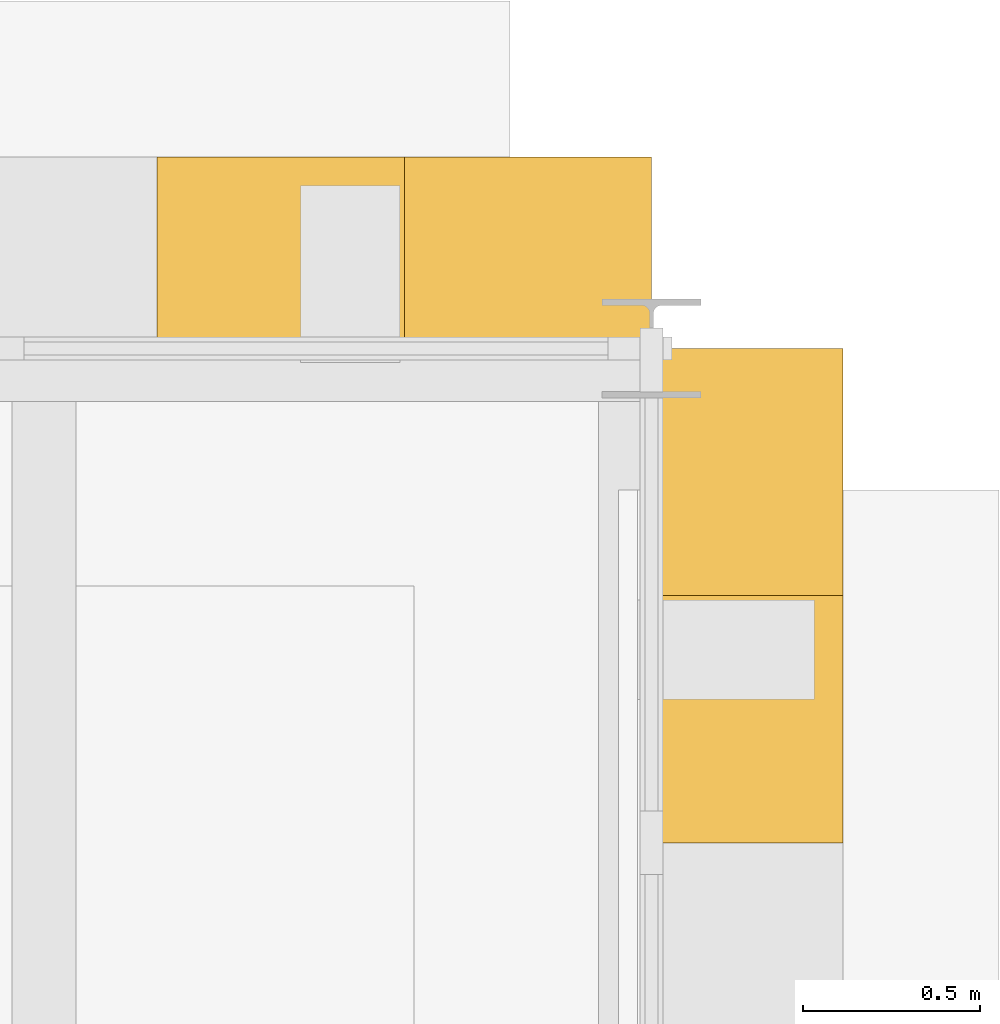
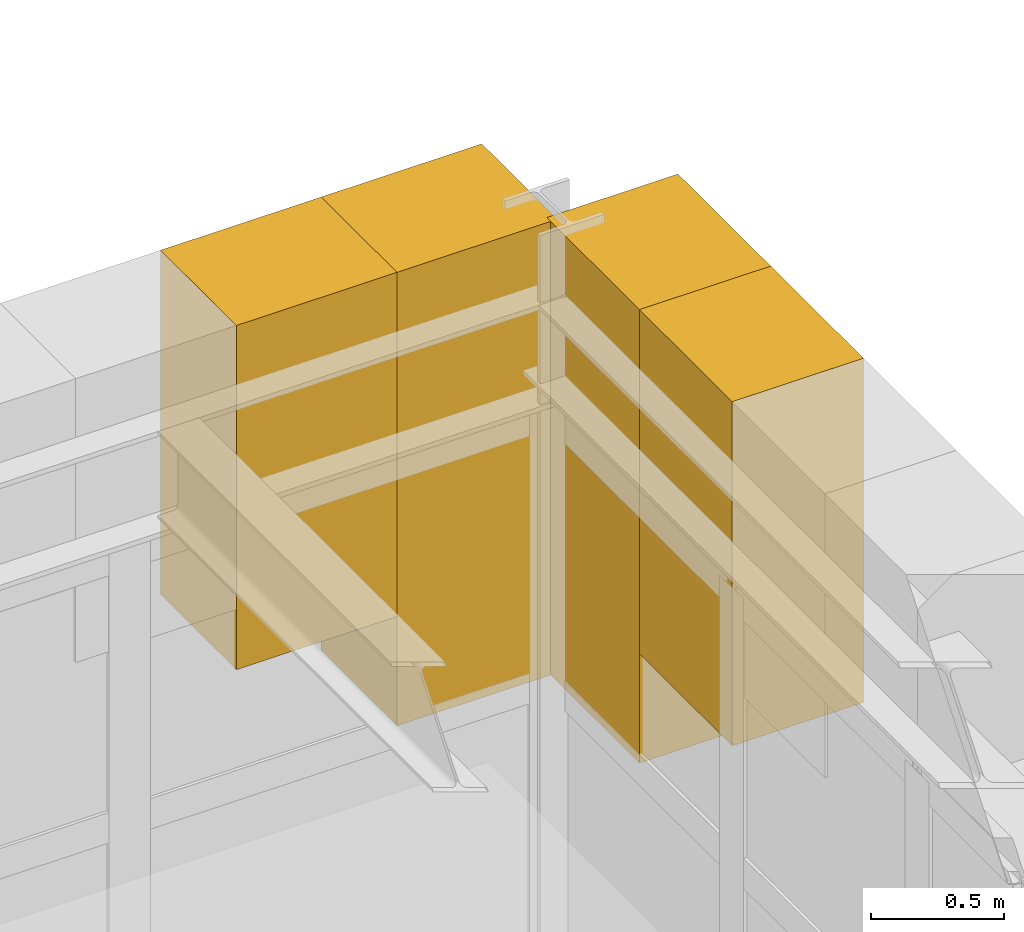
# One storey, part 78 of 83: 4 coverings.
"""IFC4 building model written with IfcOpenShell, lengths in metres."""

from ifc_helpers import new_model, si_unit, direction, frame, origin, place, context, subcontext, project, spatial, polyline, outline, extrude, material, layer, layer_set, type_object, element, save


model = new_model("IFC4")

# Units and contexts
model_context = context("Model", 3, precision=1e-05, world=origin(), true_north=direction((0.0, 1.0)))
body_context = subcontext(model_context, "Body", "Model", "MODEL_VIEW")
ifc_project = project(units=[si_unit("LENGTHUNIT", "METRE"), si_unit("AREAUNIT", "SQUARE_METRE"), si_unit("VOLUMEUNIT", "CUBIC_METRE"), si_unit("PLANEANGLEUNIT", "RADIAN"), si_unit("MASSUNIT", "GRAM", prefix="KILO")], contexts=[model_context])

# Site, building, storey
site_placement = place(None, origin())
site = spatial("IfcSite", under=ifc_project, at=site_placement, CompositionType="ELEMENT")
building_placement = place(site_placement, origin())
building = spatial("IfcBuilding", under=site, at=building_placement, Name="Zlatogorsky Bluff Art Gallery", CompositionType="ELEMENT")
storey_placement = place(building_placement, frame((0.0, 0.0, 10.800048828125)))
storey = spatial("IfcBuildingStorey", under=building, at=storey_placement, Name="L02", CompositionType="ELEMENT", Elevation=10.800048828125)

# Coverings
ifc_material = material(Name="Honed Red Agra-Tone Quartzitic Sandstone", Category="masonry")
ifc_layer = layer(ifc_material, 0.1201171875)
ifc_layer_set = layer_set([ifc_layer], Name="Carved Sandstone Cladding CLD-02")
covering_type = type_object("IfcCoveringType", Name="Carved Sandstone Cladding CLD-02", PredefinedType="CLADDING", material=ifc_layer_set)
covering_1_placement = place(storey_placement, frame((0.0, 0.0, 4.379638671875)))
element("IfcCovering", 1, at=covering_1_placement, inside=storey, type_object=covering_type, Name="Pointed Mughal arch voussoir spandrel ARCH-CW-L02-N-12-09-A.7", PredefinedType="CLADDING", context=body_context, shape_type="SweptSolid", body=[
    extrude(outline(polyline([(154.60498046875, 107.969970703125), (155.302490234375, 107.969970703125), (155.302490234375, 108.5400390625), (154.60498046875, 108.5400390625), (154.60498046875, 107.969970703125)])), origin(), (0.0, 0.0, 1.0), 1.580322265625),
])
covering_2_placement = place(storey_placement, frame((0.0, 0.0, 3.877685546875)))
element("IfcCovering", 2, at=covering_2_placement, inside=storey, type_object=covering_type, Name="Pointed Mughal arch voussoir spandrel ARCH-CW-L02-N-12-09-A.8", PredefinedType="CLADDING", context=body_context, shape_type="SweptSolid", body=[
    extrude(outline(polyline([(155.302490234375, 107.969970703125), (156.0, 107.969970703125), (156.0, 108.5400390625), (155.302490234375, 108.5400390625), (155.302490234375, 107.969970703125)])), origin(), (0.0, 0.0, 1.0), 2.082275390625),
])
covering_3_placement = place(storey_placement, frame((0.0, 0.0, 4.379638671875)))
element("IfcCovering", 3, at=covering_3_placement, inside=storey, type_object=covering_type, Name="Pointed Mughal arch voussoir spandrel ARCH-CW-L02-E-12-09-B.7", PredefinedType="CLADDING", context=body_context, shape_type="SweptSolid", body=[
    extrude(outline(polyline([(155.969970703125, 106.60498046875), (155.969970703125, 107.302490234375), (156.5400390625, 107.302490234375), (156.5400390625, 106.60498046875), (155.969970703125, 106.60498046875)])), origin(), (0.0, 0.0, 1.0), 1.580322265625),
])
covering_4_placement = place(storey_placement, frame((0.0, 0.0, 3.877685546875)))
element("IfcCovering", 4, at=covering_4_placement, inside=storey, type_object=covering_type, Name="Pointed Mughal arch voussoir spandrel ARCH-CW-L02-E-12-09-B.8", PredefinedType="CLADDING", context=body_context, shape_type="SweptSolid", body=[
    extrude(outline(polyline([(155.969970703125, 107.302490234375), (155.969970703125, 108.0), (156.5400390625, 108.0), (156.5400390625, 107.302490234375), (155.969970703125, 107.302490234375)])), origin(), (0.0, 0.0, 1.0), 2.082275390625),
])

save(model, "model.ifc")
